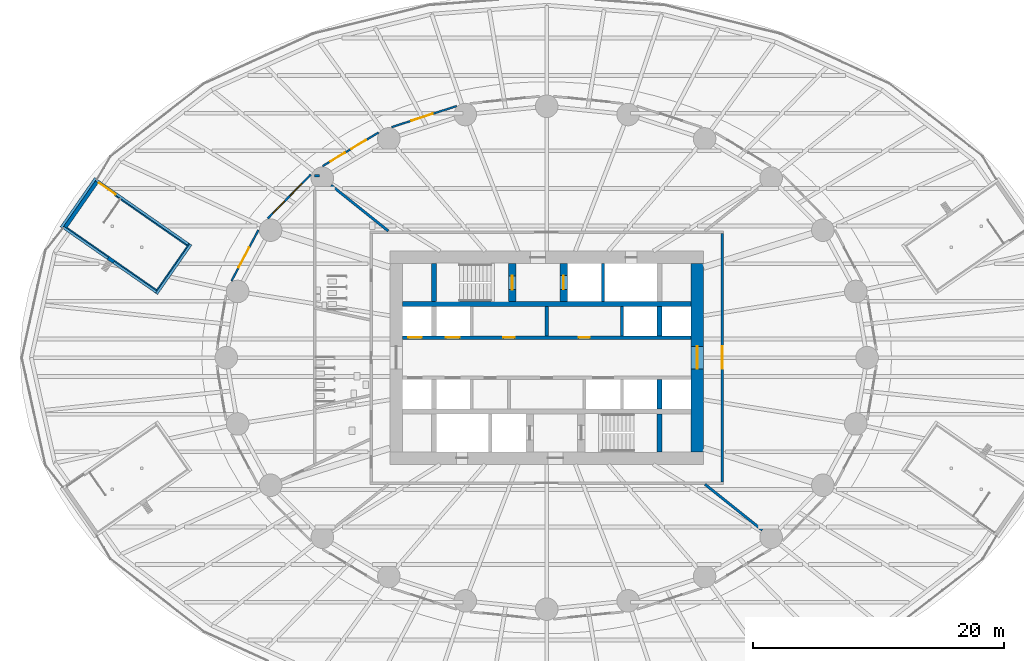
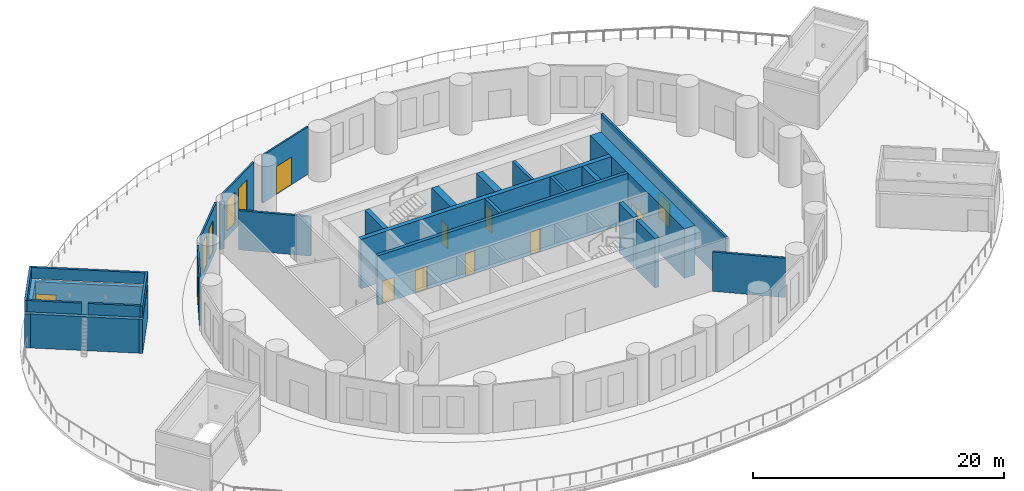
# One storey, part 9 of 17: 29 walls, 11 doors, 4 windows, 15 openings.
"""IFC4 building model written with IfcOpenShell, lengths in metres."""

from ifc_helpers import new_model, si_unit, direction, frame, frame_2d, origin, place, context, subcontext, project, spatial, rectangle, extrude, material, layer, layer_set, type_object, element, fill, save


model = new_model("IFC4")

# Units and contexts
model_context = context("Model", 3, precision=1e-05, world=origin(), true_north=direction((0.0, 1.0)))
body_context = subcontext(model_context, "Body", "Model", "MODEL_VIEW")
ifc_project = project(units=[si_unit("LENGTHUNIT", "METRE"), si_unit("AREAUNIT", "SQUARE_METRE"), si_unit("VOLUMEUNIT", "CUBIC_METRE"), si_unit("PLANEANGLEUNIT", "RADIAN"), si_unit("MASSUNIT", "GRAM", prefix="KILO")], contexts=[model_context])

# Site, building, storey
site_placement = place(None, origin())
site = spatial("IfcSite", under=ifc_project, at=site_placement, CompositionType="ELEMENT")
building_placement = place(site_placement, origin())
building = spatial("IfcBuilding", under=site, at=building_placement, Name="Hankou Lantern Tower", CompositionType="ELEMENT")
storey_placement = place(building_placement, frame((0.0, 0.0, 24.60009765625)))
storey = spatial("IfcBuildingStorey", under=building, at=storey_placement, Name="L04", CompositionType="ELEMENT", Elevation=24.60009765625)

# Wall, opening, door
ifc_material_1 = material(Name="Concrete C60", Category="concrete")
ifc_layer_1 = layer(ifc_material_1, 1.0)
ifc_layer_set_1 = layer_set([ifc_layer_1], Name="Concrete C60")
wall_type_1 = type_object("IfcWallType", Name="CW1 CORE WALL 1000", PredefinedType="SHEAR", material=ifc_layer_set_1)
wall_1_placement = place(storey_placement, frame((12.0, -7.5, 0.0), z_axis=(0.0, 0.0, 1.0), x_axis=(0.0, 1.0, 0.0)))
wall_1 = element("IfcWall", 1, at=wall_1_placement, inside=storey, type_object=wall_type_1, Name="Core wall east L04", PredefinedType="SHEAR", context=body_context, shape_type="SweptSolid", body=[
    extrude(rectangle(XDim=15.0, YDim=1.0, at=frame_2d((7.5, 0.0))), origin(), (0.0, 0.0, 1.0), 4.7998046875),
])
opening_1_placement = place(wall_1_placement, frame((6.60009765625, 0.0, 0.0)))
opening_1 = element("IfcOpeningElement", 2, at=opening_1_placement, cuts=wall_1, Name="Opening D6", PredefinedType="OPENING", context=body_context, shape_type="SweptSolid", body=[
    extrude(rectangle(XDim=1.800048828125, YDim=2.199951171875, at=frame_2d((0.89990234375, 1.10009765625))), frame((0.0, 0.510009765625, 0.0), z_axis=(0.0, -1.0, 0.0), x_axis=(1.0, 0.0, 0.0)), (0.0, 0.0, 1.0), 1.02001953125),
])
ifc_material_2 = material(Name="Steel door leaf", Category="steel")
door_type_1 = type_object("IfcDoorType", Name="D6 LIFT LOBBY DOOR 1800X2200", OperationType="DOUBLE_DOOR_DOUBLE_SWING", PredefinedType="DOOR", material=ifc_material_2)
door_1_placement = place(opening_1_placement, origin())
door_1 = element("IfcDoor", 3, at=door_1_placement, inside=storey, type_object=door_type_1, Name="Lift lobby east door", OperationType="DOUBLE_DOOR_DOUBLE_SWING", OverallHeight=2.199951171875, OverallWidth=1.800048828125, PredefinedType="DOOR", context=body_context, shape_type="SweptSolid", body=[
    extrude(rectangle(XDim=1.800048828125, YDim=2.199951171875, at=frame_2d((0.89990234375, 1.10009765625))), frame((0.0, 0.02490234375, 0.0), z_axis=(0.0, -1.0, 0.0), x_axis=(1.0, 0.0, 0.0)), (0.0, 0.0, 1.0), 0.050048828125),
])
fill(opening_1, door_1)

# Walls
ifc_material_3 = material(Name="Concrete C60", Category="concrete")
ifc_layer_2 = layer(ifc_material_3, 0.39990234375)
ifc_layer_set_2 = layer_set([ifc_layer_2], Name="Concrete C60")
wall_type_2 = type_object("IfcWallType", Name="CW4 CORE CROSS WALL 400", PredefinedType="SHEAR", material=ifc_layer_set_2)
wall_2_placement = place(storey_placement, frame((-11.5, 4.300048828125, 0.0), z_axis=(0.0, 0.0, 1.0), x_axis=(1.0, 0.0, 0.0)))
element("IfcWall", 4, at=wall_2_placement, inside=storey, type_object=wall_type_2, Name="Core band wall north L04", PredefinedType="SHEAR", context=body_context, shape_type="SweptSolid", body=[
    extrude(rectangle(XDim=23.0, YDim=0.39990234375, at=frame_2d((11.5, 0.0))), origin(), (0.0, 0.0, 1.0), 4.7998046875),
])
wall_3_placement = place(storey_placement, frame((-9.0, 4.5, 0.0), z_axis=(0.0, 0.0, 1.0), x_axis=(0.0, 1.0, 0.0)))
element("IfcWall", 5, at=wall_3_placement, inside=storey, type_object=wall_type_2, Name="Core strip wall L04", PredefinedType="SHEAR", context=body_context, shape_type="SweptSolid", body=[
    extrude(rectangle(XDim=3.0, YDim=0.39990234375, at=frame_2d((1.5, 0.0))), origin(), (0.0, 0.0, 1.0), 4.7998046875),
])
for number, where, z_axis, x_axis, name in (
    (6, (9.0, 1.75, 0.0), (0.0, 0.0, 1.0), (0.0, 1.0, 0.0), "Core strip wall L04"),
    (7, (9.0, -4.10009765625, 0.0), (0.0, 0.0, 1.0), (0.0, 1.0, 0.0), "Core strip wall L04"),
):
    element("IfcWall", number, at=place(storey_placement, frame(where, z_axis=z_axis, x_axis=x_axis)), inside=storey, type_object=wall_type_2, Name=name, PredefinedType="SHEAR", context=body_context, shape_type="SweptSolid", body=[
        extrude(rectangle(XDim=2.35009765625, YDim=0.39990234375, at=frame_2d((1.175048828125, 0.0))), origin(), (0.0, 0.0, 1.0), 4.7998046875),
    ])
wall_4_placement = place(storey_placement, frame((9.0, -7.5, 0.0), z_axis=(0.0, 0.0, 1.0), x_axis=(0.0, 1.0, 0.0)))
element("IfcWall", 8, at=wall_4_placement, inside=storey, type_object=wall_type_2, Name="Core strip wall L04", PredefinedType="SHEAR", context=body_context, shape_type="SweptSolid", body=[
    extrude(rectangle(XDim=3.0, YDim=0.39990234375, at=frame_2d((1.5, 0.0))), origin(), (0.0, 0.0, 1.0), 4.7998046875),
])

# Wall, openings, doors
ifc_material_4 = material(Name="Concrete C60", Category="concrete")
ifc_layer_3 = layer(ifc_material_4, 0.300048828125)
ifc_layer_set_3 = layer_set([ifc_layer_3], Name="Concrete C60")
wall_type_3 = type_object("IfcWallType", Name="CW5 LIFT LOBBY WALL 300", PredefinedType="SHEAR", material=ifc_layer_set_3)
wall_5_placement = place(storey_placement, frame((-11.5, 1.60009765625, 0.0), z_axis=(0.0, 0.0, 1.0), x_axis=(1.0, 0.0, 0.0)))
wall_5 = element("IfcWall", 9, at=wall_5_placement, inside=storey, type_object=wall_type_3, Name="Lift lobby wall north L04", PredefinedType="SHEAR", context=body_context, shape_type="SweptSolid", body=[
    extrude(rectangle(XDim=23.0, YDim=0.300048828125, at=frame_2d((11.5, 0.0))), origin(), (0.0, 0.0, 1.0), 4.7998046875),
])
opening_2_placement = place(wall_5_placement, frame((0.449951171875, 0.0, 0.0)))
opening_2 = element("IfcOpeningElement", 10, at=opening_2_placement, cuts=wall_5, Name="Opening LD1", PredefinedType="OPENING", context=body_context, shape_type="SweptSolid", body=[
    extrude(rectangle(XDim=1.10009765625, YDim=2.199951171875, at=frame_2d((0.550048828125, 1.10009765625))), frame((0.0, 0.159912109375, 0.0), z_axis=(0.0, -1.0, 0.0), x_axis=(1.0, 0.0, 0.0)), (0.0, 0.0, 1.0), 0.320068359375),
])
opening_3_placement = place(wall_5_placement, frame((3.449951171875, 0.0, 0.0)))
opening_3 = element("IfcOpeningElement", 11, at=opening_3_placement, cuts=wall_5, Name="Opening LD1", PredefinedType="OPENING", context=body_context, shape_type="SweptSolid", body=[
    extrude(rectangle(XDim=1.10009765625, YDim=2.199951171875, at=frame_2d((0.550048828125, 1.10009765625))), frame((0.0, 0.159912109375, 0.0), z_axis=(0.0, -1.0, 0.0), x_axis=(1.0, 0.0, 0.0)), (0.0, 0.0, 1.0), 0.320068359375),
])
opening_4_placement = place(wall_5_placement, frame((8.050048828125, 0.0, 0.0)))
opening_4 = element("IfcOpeningElement", 12, at=opening_4_placement, cuts=wall_5, Name="Opening D30", PredefinedType="OPENING", context=body_context, shape_type="SweptSolid", body=[
    extrude(rectangle(XDim=0.89990234375, YDim=2.199951171875, at=frame_2d((0.449951171875, 1.10009765625))), frame((0.0, 0.159912109375, 0.0), z_axis=(0.0, -1.0, 0.0), x_axis=(1.0, 0.0, 0.0)), (0.0, 0.0, 1.0), 0.320068359375),
])
opening_5_placement = place(wall_5_placement, frame((14.050048828125, 0.0, 0.0)))
opening_5 = element("IfcOpeningElement", 13, at=opening_5_placement, cuts=wall_5, Name="Opening D30", PredefinedType="OPENING", context=body_context, shape_type="SweptSolid", body=[
    extrude(rectangle(XDim=0.89990234375, YDim=2.199951171875, at=frame_2d((0.449951171875, 1.10009765625))), frame((0.0, 0.159912109375, 0.0), z_axis=(0.0, -1.0, 0.0), x_axis=(1.0, 0.0, 0.0)), (0.0, 0.0, 1.0), 0.320068359375),
])
ifc_material_5 = material(Name="Steel door leaf", Category="steel")
door_type_2 = type_object("IfcDoorType", Name="D30 CORE ROOM DOOR 900X2200", OperationType="SINGLE_SWING_LEFT", PredefinedType="DOOR", material=ifc_material_5)
door_2_placement = place(opening_4_placement, origin())
door_2 = element("IfcDoor", 14, at=door_2_placement, inside=storey, type_object=door_type_2, Name="AV and furniture store door", OperationType="SINGLE_SWING_LEFT", OverallHeight=2.199951171875, OverallWidth=0.89990234375, PredefinedType="DOOR", context=body_context, shape_type="SweptSolid", body=[
    extrude(rectangle(XDim=0.89990234375, YDim=2.199951171875, at=frame_2d((0.449951171875, 1.10009765625))), frame((0.0, 0.02490234375, 0.0), z_axis=(0.0, -1.0, 0.0), x_axis=(1.0, 0.0, 0.0)), (0.0, 0.0, 1.0), 0.050048828125),
])
fill(opening_4, door_2)
door_3_placement = place(opening_5_placement, origin())
door_3 = element("IfcDoor", 15, at=door_3_placement, inside=storey, type_object=door_type_2, Name="Spa linen store door", OperationType="SINGLE_SWING_RIGHT", OverallHeight=2.199951171875, OverallWidth=0.89990234375, PredefinedType="DOOR", context=body_context, shape_type="SweptSolid", body=[
    extrude(rectangle(XDim=0.89990234375, YDim=2.199951171875, at=frame_2d((0.449951171875, 1.10009765625))), frame((0.0, 0.02490234375, 0.0), z_axis=(0.0, -1.0, 0.0), x_axis=(1.0, 0.0, 0.0)), (0.0, 0.0, 1.0), 0.050048828125),
])
fill(opening_5, door_3)
ifc_material_6 = material(Name="Steel door leaf", Category="steel")
door_type_3 = type_object("IfcDoorType", Name="LD1 LIFT LANDING DOOR 1100X2200", OperationType="DOUBLE_DOOR_SLIDING", PredefinedType="DOOR", material=ifc_material_6)
door_4_placement = place(opening_2_placement, origin())
door_4 = element("IfcDoor", 16, at=door_4_placement, inside=storey, type_object=door_type_3, Name="Lift L1 landing door", OperationType="DOUBLE_DOOR_SLIDING", OverallHeight=2.199951171875, OverallWidth=1.10009765625, PredefinedType="DOOR", context=body_context, shape_type="SweptSolid", body=[
    extrude(rectangle(XDim=1.10009765625, YDim=2.199951171875, at=frame_2d((0.550048828125, 1.10009765625))), frame((0.0, 0.02490234375, 0.0), z_axis=(0.0, -1.0, 0.0), x_axis=(1.0, 0.0, 0.0)), (0.0, 0.0, 1.0), 0.050048828125),
])
fill(opening_2, door_4)
door_5_placement = place(opening_3_placement, origin())
door_5 = element("IfcDoor", 17, at=door_5_placement, inside=storey, type_object=door_type_3, Name="Lift L2 landing door", OperationType="DOUBLE_DOOR_SLIDING", OverallHeight=2.199951171875, OverallWidth=1.10009765625, PredefinedType="DOOR", context=body_context, shape_type="SweptSolid", body=[
    extrude(rectangle(XDim=1.10009765625, YDim=2.199951171875, at=frame_2d((0.550048828125, 1.10009765625))), frame((0.0, 0.02490234375, 0.0), z_axis=(0.0, -1.0, 0.0), x_axis=(1.0, 0.0, 0.0)), (0.0, 0.0, 1.0), 0.050048828125),
])
fill(opening_3, door_5)

# Wall, opening, door
ifc_material_7 = material(Name="Concrete C60", Category="concrete")
ifc_layer_4 = layer(ifc_material_7, 0.60009765625)
ifc_layer_set_4 = layer_set([ifc_layer_4], Name="Concrete C60")
wall_type_4 = type_object("IfcWallType", Name="CW6 STAIR AND SHAFT WALL 600", PredefinedType="SHEAR", material=ifc_layer_set_4)
wall_6_placement = place(storey_placement, frame((-2.75, 4.5, 0.0), z_axis=(0.0, 0.0, 1.0), x_axis=(0.0, 1.0, 0.0)))
wall_6 = element("IfcWall", 18, at=wall_6_placement, inside=storey, type_object=wall_type_4, Name="Stair wall L04", PredefinedType="SHEAR", context=body_context, shape_type="SweptSolid", body=[
    extrude(rectangle(XDim=3.0, YDim=0.60009765625, at=frame_2d((1.5, 0.0))), origin(), (0.0, 0.0, 1.0), 4.7998046875),
])
opening_6_placement = place(wall_6_placement, frame((0.925048828125, 0.0, 0.0)))
opening_6 = element("IfcOpeningElement", 19, at=opening_6_placement, cuts=wall_6, Name="Opening D4", PredefinedType="OPENING", context=body_context, shape_type="SweptSolid", body=[
    extrude(rectangle(XDim=1.10009765625, YDim=2.199951171875, at=frame_2d((0.550048828125, 1.10009765625))), frame((0.0, 0.31005859375, 0.0), z_axis=(0.0, -1.0, 0.0), x_axis=(1.0, 0.0, 0.0)), (0.0, 0.0, 1.0), 0.6201171875),
])
ifc_material_8 = material(Name="Steel door leaf", Category="steel")
door_type_4 = type_object("IfcDoorType", Name="D4 STAIR DOOR 1100X2200", OperationType="SINGLE_SWING_LEFT", PredefinedType="DOOR", material=ifc_material_8)
door_6_placement = place(opening_6_placement, origin())
door_6 = element("IfcDoor", 20, at=door_6_placement, inside=storey, type_object=door_type_4, Name="Stair A door", OperationType="SINGLE_SWING_LEFT", OverallHeight=2.199951171875, OverallWidth=1.10009765625, PredefinedType="DOOR", context=body_context, shape_type="SweptSolid", body=[
    extrude(rectangle(XDim=1.10009765625, YDim=2.199951171875, at=frame_2d((0.550048828125, 1.10009765625))), frame((0.0, 0.02490234375, 0.0), z_axis=(0.0, -1.0, 0.0), x_axis=(1.0, 0.0, 0.0)), (0.0, 0.0, 1.0), 0.050048828125),
])
fill(opening_6, door_6)

wall_7_placement = place(storey_placement, frame((1.35009765625, 4.5, 0.0), z_axis=(0.0, 0.0, 1.0), x_axis=(0.0, 1.0, 0.0)))
wall_7 = element("IfcWall", 21, at=wall_7_placement, inside=storey, type_object=wall_type_4, Name="Firefighting lift shaft wall L04", PredefinedType="SHEAR", context=body_context, shape_type="SweptSolid", body=[
    extrude(rectangle(XDim=3.0, YDim=0.60009765625, at=frame_2d((1.5, 0.0))), origin(), (0.0, 0.0, 1.0), 4.7998046875),
])
opening_7_placement = place(wall_7_placement, frame((0.949951171875, 0.0, 0.0)))
opening_7 = element("IfcOpeningElement", 22, at=opening_7_placement, cuts=wall_7, Name="Opening LD2", PredefinedType="OPENING", context=body_context, shape_type="SweptSolid", body=[
    extrude(rectangle(XDim=1.10009765625, YDim=2.199951171875, at=frame_2d((0.550048828125, 1.10009765625))), frame((0.0, 0.31005859375, 0.0), z_axis=(0.0, -1.0, 0.0), x_axis=(1.0, 0.0, 0.0)), (0.0, 0.0, 1.0), 0.6201171875),
])
ifc_material_9 = material(Name="Steel door leaf", Category="steel")
door_type_5 = type_object("IfcDoorType", Name="LD2 FIREFIGHTING LIFT LANDING DOOR 1100X2200", OperationType="DOUBLE_DOOR_SLIDING", PredefinedType="DOOR", material=ifc_material_9)
door_7_placement = place(opening_7_placement, origin())
door_7 = element("IfcDoor", 23, at=door_7_placement, inside=storey, type_object=door_type_5, Name="Firefighting lift FL1 landing door", OperationType="DOUBLE_DOOR_SLIDING", OverallHeight=2.199951171875, OverallWidth=1.10009765625, PredefinedType="DOOR", context=body_context, shape_type="SweptSolid", body=[
    extrude(rectangle(XDim=1.10009765625, YDim=2.199951171875, at=frame_2d((0.550048828125, 1.10009765625))), frame((0.0, 0.02490234375, 0.0), z_axis=(0.0, -1.0, 0.0), x_axis=(1.0, 0.0, 0.0)), (0.0, 0.0, 1.0), 0.050048828125),
])
fill(opening_7, door_7)

ifc_material_10 = material(Name="Concrete C50", Category="concrete")
ifc_layer_5 = layer(ifc_material_10, 0.300048828125)
ifc_layer_set_5 = layer_set([ifc_layer_5], Name="Concrete C50")
wall_type_5 = type_object("IfcWallType", Name="CW7 PODIUM STAIR WALL 300", PredefinedType="SHEAR", material=ifc_layer_set_5)
wall_8_placement = place(storey_placement, frame((-35.7294921875, 13.968017578125, 0.0), z_axis=(0.0, 0.0, 1.0), x_axis=(0.82092761123, -0.571032273274, 0.0)))
wall_8 = element("IfcWall", 24, at=wall_8_placement, inside=storey, type_object=wall_type_5, Name="Podium stair P2 wall", PredefinedType="SHEAR", context=body_context, shape_type="SweptSolid", body=[
    extrude(rectangle(XDim=8.659912109375, YDim=0.300048828125, at=frame_2d((4.330078125, 0.0))), origin(), (0.0, 0.0, 1.0), 3.2998046875),
])
opening_8_placement = place(wall_8_placement, frame((0.050048828125, 0.0, 0.0)))
opening_8 = element("IfcOpeningElement", 25, at=opening_8_placement, cuts=wall_8, Name="Opening D16", PredefinedType="OPENING", context=body_context, shape_type="SweptSolid", body=[
    extrude(rectangle(XDim=1.60009765625, YDim=2.10009765625, at=frame_2d((0.800048828125, 1.050048828125))), frame((0.0, 0.159912109375, 0.0), z_axis=(0.0, -1.0, 0.0), x_axis=(1.0, 0.0, 0.0)), (0.0, 0.0, 1.0), 0.320068359375),
])
ifc_material_11 = material(Name="Steel door leaf", Category="steel")
door_type_6 = type_object("IfcDoorType", Name="D16 PODIUM STAIR DOOR 1600X2100", OperationType="SINGLE_SWING_LEFT", PredefinedType="DOOR", material=ifc_material_11)
door_8_placement = place(opening_8_placement, origin())
door_8 = element("IfcDoor", 26, at=door_8_placement, inside=storey, type_object=door_type_6, Name="Podium stair P2 door", OperationType="SINGLE_SWING_LEFT", OverallHeight=2.10009765625, OverallWidth=1.60009765625, PredefinedType="DOOR", context=body_context, shape_type="SweptSolid", body=[
    extrude(rectangle(XDim=1.60009765625, YDim=2.10009765625, at=frame_2d((0.800048828125, 1.050048828125))), frame((0.0, 0.02490234375, 0.0), z_axis=(0.0, -1.0, 0.0), x_axis=(1.0, 0.0, 0.0)), (0.0, 0.0, 1.0), 0.050048828125),
])
fill(opening_8, door_8)

# Walls
wall_9_placement = place(storey_placement, frame((-38.29931640625, 10.273681640625, 0.0), z_axis=(0.0, 0.0, 1.0), x_axis=(0.820936803751, -0.571019057692, 0.0)))
element("IfcWall", 27, at=wall_9_placement, inside=storey, type_object=wall_type_5, Name="Podium stair P2 wall", PredefinedType="SHEAR", context=body_context, shape_type="SweptSolid", body=[
    extrude(rectangle(XDim=8.66015625, YDim=0.300048828125, at=frame_2d((4.330078125, 0.0))), origin(), (0.0, 0.0, 1.0), 3.2998046875),
])
wall_10_placement = place(storey_placement, frame((-28.41162109375, 9.060302734375, 0.0), z_axis=(0.0, 0.0, 1.0), x_axis=(-0.571036173178, -0.820924898467, 0.0)))
element("IfcWall", 28, at=wall_10_placement, inside=storey, type_object=wall_type_5, Name="Podium stair P2 wall", PredefinedType="SHEAR", context=body_context, shape_type="SweptSolid", body=[
    extrude(rectangle(XDim=4.800048828125, YDim=0.300048828125, at=frame_2d((2.39990234375, 0.0))), origin(), (0.0, 0.0, 1.0), 3.2998046875),
])

# Wall, opening, door
ifc_material_12 = material(Name="Aluminium spandrel panel on steel studs", Category="steel")
ifc_layer_6 = layer(ifc_material_12, 0.14990234375)
ifc_layer_set_6 = layer_set([ifc_layer_6], Name="Aluminium spandrel panel on steel studs")
wall_type_6 = type_object("IfcWallType", Name="EW1 INNER SKIN WALL 150", PredefinedType="ELEMENTEDWALL", material=ifc_layer_set_6)
wall_11_placement = place(storey_placement, frame((-7.188232421875, 20.06494140625, 0.0), z_axis=(0.0, 0.0, 1.0), x_axis=(-0.951138486029, -0.308764603532, 0.0)))
wall_11 = element("IfcWall", 29, at=wall_11_placement, inside=storey, type_object=wall_type_6, Name="Inner skin R08-R09 L04", PredefinedType="ELEMENTEDWALL", context=body_context, shape_type="SweptSolid", body=[
    extrude(rectangle(XDim=5.444091796875, YDim=0.14990234375, at=frame_2d((2.72216796875, 0.0))), origin(), (0.0, 0.0, 1.0), 4.619873046875),
])
opening_9_placement = place(wall_11_placement, frame((1.984130859375, 0.0, 0.0)))
opening_9 = element("IfcOpeningElement", 30, at=opening_9_placement, cuts=wall_11, Name="Opening D17", PredefinedType="OPENING", context=body_context, shape_type="SweptSolid", body=[
    extrude(rectangle(XDim=1.800048828125, YDim=2.699951171875, at=frame_2d((0.89990234375, 1.35009765625))), frame((0.0, 0.0849609375, 0.0), z_axis=(0.0, -1.0, 0.0), x_axis=(1.0, 0.0, 0.0)), (0.0, 0.0, 1.0), 0.169921875),
])
ifc_material_13 = material(Name="Aluminium framed glazed door", Category="aluminium")
door_type_7 = type_object("IfcDoorType", Name="D17 TERRACE DOOR 1800X2700", OperationType="DOUBLE_DOOR_DOUBLE_SWING", PredefinedType="DOOR", material=ifc_material_13)
door_9_placement = place(opening_9_placement, origin())
door_9 = element("IfcDoor", 31, at=door_9_placement, inside=storey, type_object=door_type_7, Name="Terrace door R08", OperationType="DOUBLE_DOOR_DOUBLE_SWING", OverallHeight=2.699951171875, OverallWidth=1.800048828125, PredefinedType="DOOR", context=body_context, shape_type="SweptSolid", body=[
    extrude(rectangle(XDim=1.800048828125, YDim=2.699951171875, at=frame_2d((0.89990234375, 1.35009765625))), frame((0.0, 0.02490234375, 0.0), z_axis=(0.0, -1.0, 0.0), x_axis=(1.0, 0.0, 0.0)), (0.0, 0.0, 1.0), 0.050048828125),
])
fill(opening_9, door_9)

# Wall, openings, windows
wall_12_placement = place(storey_placement, frame((-13.412109375, 17.957275390625, 0.0), z_axis=(0.0, 0.0, 1.0), x_axis=(-0.856958191554, -0.515385931054, 0.0)))
wall_12 = element("IfcWall", 32, at=wall_12_placement, inside=storey, type_object=wall_type_6, Name="Inner skin R09-R10 L04", PredefinedType="ELEMENTEDWALL", context=body_context, shape_type="SweptSolid", body=[
    extrude(rectangle(XDim=5.201171875, YDim=0.14990234375, at=frame_2d((2.6005859375, 0.0))), origin(), (0.0, 0.0, 1.0), 4.619873046875),
])
opening_10_placement = place(wall_12_placement, frame((1.175048828125, 0.0, 0.60009765625)))
opening_10 = element("IfcOpeningElement", 33, at=opening_10_placement, cuts=wall_12, Name="Opening W5", PredefinedType="OPENING", context=body_context, shape_type="SweptSolid", body=[
    extrude(rectangle(XDim=1.35009765625, YDim=3.0, at=frame_2d((0.675048828125, 1.5))), frame((0.0, 0.0849609375, 0.0), z_axis=(0.0, -1.0, 0.0), x_axis=(1.0, 0.0, 0.0)), (0.0, 0.0, 1.0), 0.169921875),
])
opening_11_placement = place(wall_12_placement, frame((3.125, 0.0, 0.60009765625)))
opening_11 = element("IfcOpeningElement", 34, at=opening_11_placement, cuts=wall_12, Name="Opening W5", PredefinedType="OPENING", context=body_context, shape_type="SweptSolid", body=[
    extrude(rectangle(XDim=1.35009765625, YDim=3.0, at=frame_2d((0.675048828125, 1.5))), frame((0.0, 0.0849609375, 0.0), z_axis=(0.0, -1.0, 0.0), x_axis=(1.0, 0.0, 0.0)), (0.0, 0.0, 1.0), 0.169921875),
])
ifc_material_14 = material(Name="Aluminium framed double glazed window", Category="aluminium")
window_type = type_object("IfcWindowType", Name="W5 AMENITY WINDOW 1350X3000", PartitioningType="DOUBLE_PANEL_VERTICAL", PredefinedType="WINDOW", material=ifc_material_14)
window_1_placement = place(opening_10_placement, origin())
window_1 = element("IfcWindow", 35, at=window_1_placement, inside=storey, type_object=window_type, Name="Window R09.1 L04", OverallHeight=3.0, OverallWidth=1.35009765625, PartitioningType="SINGLE_PANEL", PredefinedType="WINDOW", context=body_context, shape_type="SweptSolid", body=[
    extrude(rectangle(XDim=1.35009765625, YDim=3.0, at=frame_2d((0.675048828125, 1.5))), frame((0.0, 0.030029296875, 0.0), z_axis=(0.0, -1.0, 0.0), x_axis=(1.0, 0.0, 0.0)), (0.0, 0.0, 1.0), 0.06005859375),
])
fill(opening_10, window_1)
window_2_placement = place(opening_11_placement, origin())
window_2 = element("IfcWindow", 36, at=window_2_placement, inside=storey, type_object=window_type, Name="Window R09.2 L04", OverallHeight=3.0, OverallWidth=1.35009765625, PartitioningType="SINGLE_PANEL", PredefinedType="WINDOW", context=body_context, shape_type="SweptSolid", body=[
    extrude(rectangle(XDim=1.35009765625, YDim=3.0, at=frame_2d((0.675048828125, 1.5))), frame((0.0, 0.030029296875, 0.0), z_axis=(0.0, -1.0, 0.0), x_axis=(1.0, 0.0, 0.0)), (0.0, 0.0, 1.0), 0.06005859375),
])
fill(opening_11, window_2)

wall_13_placement = place(storey_placement, frame((-18.8134765625, 14.606689453125, 0.0), z_axis=(0.0, 0.0, 1.0), x_axis=(-0.699612594083, -0.714522370679, 0.0)))
wall_13 = element("IfcWall", 37, at=wall_13_placement, inside=storey, type_object=wall_type_6, Name="Inner skin R10-R11 L04", PredefinedType="ELEMENTEDWALL", context=body_context, shape_type="SweptSolid", body=[
    extrude(rectangle(XDim=4.89599609375, YDim=0.14990234375, at=frame_2d((2.447998046875, 0.0))), origin(), (0.0, 0.0, 1.0), 4.619873046875),
])
opening_12_placement = place(wall_13_placement, frame((1.02685546875, 0.0, 0.60009765625)))
opening_12 = element("IfcOpeningElement", 38, at=opening_12_placement, cuts=wall_13, Name="Opening W5", PredefinedType="OPENING", context=body_context, shape_type="SweptSolid", body=[
    extrude(rectangle(XDim=1.35009765625, YDim=3.0, at=frame_2d((0.675048828125, 1.5))), frame((0.0, 0.0849609375, 0.0), z_axis=(0.0, -1.0, 0.0), x_axis=(1.0, 0.0, 0.0)), (0.0, 0.0, 1.0), 0.169921875),
])
opening_13_placement = place(wall_13_placement, frame((2.976806640625, 0.0, 0.60009765625)))
opening_13 = element("IfcOpeningElement", 39, at=opening_13_placement, cuts=wall_13, Name="Opening W5", PredefinedType="OPENING", context=body_context, shape_type="SweptSolid", body=[
    extrude(rectangle(XDim=1.35009765625, YDim=3.0, at=frame_2d((0.675048828125, 1.5))), frame((0.0, 0.0849609375, 0.0), z_axis=(0.0, -1.0, 0.0), x_axis=(1.0, 0.0, 0.0)), (0.0, 0.0, 1.0), 0.169921875),
])
window_3_placement = place(opening_12_placement, origin())
window_3 = element("IfcWindow", 40, at=window_3_placement, inside=storey, type_object=window_type, Name="Window R10.1 L04", OverallHeight=3.0, OverallWidth=1.35009765625, PartitioningType="SINGLE_PANEL", PredefinedType="WINDOW", context=body_context, shape_type="SweptSolid", body=[
    extrude(rectangle(XDim=1.35009765625, YDim=3.0, at=frame_2d((0.675048828125, 1.5))), frame((0.0, 0.030029296875, 0.0), z_axis=(0.0, -1.0, 0.0), x_axis=(1.0, 0.0, 0.0)), (0.0, 0.0, 1.0), 0.06005859375),
])
fill(opening_12, window_3)
window_4_placement = place(opening_13_placement, origin())
window_4 = element("IfcWindow", 41, at=window_4_placement, inside=storey, type_object=window_type, Name="Window R10.2 L04", OverallHeight=3.0, OverallWidth=1.35009765625, PartitioningType="SINGLE_PANEL", PredefinedType="WINDOW", context=body_context, shape_type="SweptSolid", body=[
    extrude(rectangle(XDim=1.35009765625, YDim=3.0, at=frame_2d((0.675048828125, 1.5))), frame((0.0, 0.030029296875, 0.0), z_axis=(0.0, -1.0, 0.0), x_axis=(1.0, 0.0, 0.0)), (0.0, 0.0, 1.0), 0.06005859375),
])
fill(opening_13, window_4)

# Wall, opening, door
wall_14_placement = place(storey_placement, frame((-22.986083984375, 10.185302734375, 0.0), z_axis=(0.0, 0.0, 1.0), x_axis=(-0.467303182954, -0.884097129959, 0.0)))
wall_14 = element("IfcWall", 42, at=wall_14_placement, inside=storey, type_object=wall_type_6, Name="Inner skin R11-R12 L04", PredefinedType="ELEMENTEDWALL", context=body_context, shape_type="SweptSolid", body=[
    extrude(rectangle(XDim=4.6064453125, YDim=0.14990234375, at=frame_2d((2.30322265625, 0.0))), origin(), (0.0, 0.0, 1.0), 4.619873046875),
])
opening_14_placement = place(wall_14_placement, frame((1.574951171875, 0.0, 0.0)))
opening_14 = element("IfcOpeningElement", 43, at=opening_14_placement, cuts=wall_14, Name="Opening D17", PredefinedType="OPENING", context=body_context, shape_type="SweptSolid", body=[
    extrude(rectangle(XDim=1.800048828125, YDim=2.699951171875, at=frame_2d((0.89990234375, 1.35009765625))), frame((0.0, 0.0849609375, 0.0), z_axis=(0.0, -1.0, 0.0), x_axis=(1.0, 0.0, 0.0)), (0.0, 0.0, 1.0), 0.169921875),
])
door_10_placement = place(opening_14_placement, origin())
door_10 = element("IfcDoor", 44, at=door_10_placement, inside=storey, type_object=door_type_7, Name="Terrace door R11", OperationType="DOUBLE_DOOR_DOUBLE_SWING", OverallHeight=2.699951171875, OverallWidth=1.800048828125, PredefinedType="DOOR", context=body_context, shape_type="SweptSolid", body=[
    extrude(rectangle(XDim=1.800048828125, YDim=2.699951171875, at=frame_2d((0.89990234375, 1.35009765625))), frame((0.0, 0.02490234375, 0.0), z_axis=(0.0, -1.0, 0.0), x_axis=(1.0, 0.0, 0.0)), (0.0, 0.0, 1.0), 0.050048828125),
])
fill(opening_14, door_10)

# Walls
ifc_material_15 = material(Name="Granite cladding on reinforced concrete C50", Category="masonry")
ifc_layer_7 = layer(ifc_material_15, 0.5)
ifc_layer_set_7 = layer_set([ifc_layer_7], Name="Granite cladding on reinforced concrete C50")
wall_type_7 = type_object("IfcWallType", Name="EW2 STONE PORTAL WALL 500", PredefinedType="SOLIDWALL", material=ifc_layer_set_7)
wall_15_placement = place(storey_placement, frame((-35.84912109375, 14.23388671875, 0.0), z_axis=(0.0, 0.0, 1.0), x_axis=(-0.571036173178, -0.820924898467, 0.0)))
element("IfcWall", 45, at=wall_15_placement, inside=storey, type_object=wall_type_7, Name="Podium stair P2 head-house", PredefinedType="SOLIDWALL", context=body_context, shape_type="SweptSolid", body=[
    extrude(rectangle(XDim=4.800048828125, YDim=0.5, at=frame_2d((2.39990234375, 0.0))), origin(), (0.0, 0.0, 1.0), 3.2998046875),
])
ifc_material_16 = material(Name="Precast concrete C40 spandrel", Category="concrete")
ifc_layer_8 = layer(ifc_material_16, 0.199951171875)
ifc_layer_set_8 = layer_set([ifc_layer_8], Name="Precast concrete C40 spandrel")
wall_type_8 = type_object("IfcWallType", Name="EW3 SPANDREL WALL 200", PredefinedType="PARAPET", material=ifc_layer_set_8)
wall_16_placement = place(storey_placement, frame((-35.97216796875, 14.319580078125, 3.5), z_axis=(0.0, 0.0, 1.0), x_axis=(-0.571036173178, -0.820924898467, 0.0)))
element("IfcWall", 46, at=wall_16_placement, inside=storey, type_object=wall_type_8, Name="Podium stair P2 head-house roof parapet", PredefinedType="PARAPET", context=body_context, shape_type="SweptSolid", body=[
    extrude(rectangle(XDim=4.800048828125, YDim=0.199951171875, at=frame_2d((2.39990234375, 0.0))), origin(), (0.0, 0.0, 1.0), 1.099853515625),
])
wall_17_placement = place(storey_placement, frame((-38.573974609375, 10.404052734375, 3.5), z_axis=(0.0, 0.0, 1.0), x_axis=(0.820934908624, -0.571021782248, 0.0)))
element("IfcWall", 47, at=wall_17_placement, inside=storey, type_object=wall_type_8, Name="Podium stair P2 head-house roof parapet", PredefinedType="PARAPET", context=body_context, shape_type="SweptSolid", body=[
    extrude(rectangle(XDim=4.35498046875, YDim=0.199951171875, at=frame_2d((2.177490234375, 0.0))), origin(), (0.0, 0.0, 1.0), 1.099853515625),
])
wall_18_placement = place(storey_placement, frame((-34.54736328125, 7.603271484375, 3.5), z_axis=(0.0, 0.0, 1.0), x_axis=(0.820904004174, -0.571066209761, 0.0)))
element("IfcWall", 48, at=wall_18_placement, inside=storey, type_object=wall_type_8, Name="Podium stair P2 head-house roof parapet", PredefinedType="PARAPET", context=body_context, shape_type="SweptSolid", body=[
    extrude(rectangle(XDim=4.155029296875, YDim=0.199951171875, at=frame_2d((2.07763671875, 0.0))), origin(), (0.0, 0.0, 1.0), 1.099853515625),
])
wall_19_placement = place(storey_placement, frame((-31.111328125, 5.09130859375, 3.5), z_axis=(0.0, 0.0, 1.0), x_axis=(0.571036173178, 0.820924898467, 0.0)))
element("IfcWall", 49, at=wall_19_placement, inside=storey, type_object=wall_type_8, Name="Podium stair P2 head-house roof parapet", PredefinedType="PARAPET", context=body_context, shape_type="SweptSolid", body=[
    extrude(rectangle(XDim=4.800048828125, YDim=0.199951171875, at=frame_2d((2.39990234375, 0.0))), origin(), (0.0, 0.0, 1.0), 1.099853515625),
])
wall_20_placement = place(storey_placement, frame((-28.509765625, 9.0068359375, 3.5), z_axis=(0.0, 0.0, 1.0), x_axis=(-0.820922227988, 0.571040012254, 0.0)))
element("IfcWall", 50, at=wall_20_placement, inside=storey, type_object=wall_type_8, Name="Podium stair P2 head-house roof parapet", PredefinedType="PARAPET", context=body_context, shape_type="SweptSolid", body=[
    extrude(rectangle(XDim=9.059814453125, YDim=0.199951171875, at=frame_2d((4.52978515625, 0.0))), origin(), (0.0, 0.0, 1.0), 1.099853515625),
])

# Wall, opening, door
ifc_material_17 = material(Name="Masonry lightweight concrete block", Category="masonry")
ifc_layer_9 = layer(ifc_material_17, 0.199951171875)
ifc_layer_set_9 = layer_set([ifc_layer_9], Name="Masonry lightweight concrete block")
wall_type_9 = type_object("IfcWallType", Name="IW2 CORRIDOR WALL 200", PredefinedType="PARTITIONING", material=ifc_layer_set_9)
wall_21_placement = place(storey_placement, frame((14.0, -9.89990234375, 0.0), z_axis=(0.0, 0.0, 1.0), x_axis=(0.0, 1.0, 0.0)))
wall_21 = element("IfcWall", 51, at=wall_21_placement, inside=storey, type_object=wall_type_9, Name="Corridor wall east", PredefinedType="PARTITIONING", context=body_context, shape_type="SweptSolid", body=[
    extrude(rectangle(XDim=19.7998046875, YDim=0.199951171875, at=frame_2d((9.89990234375, 0.0))), origin(), (0.0, 0.0, 1.0), 4.619873046875),
])
opening_15_placement = place(wall_21_placement, frame((9.0, 0.0, 0.0)))
opening_15 = element("IfcOpeningElement", 52, at=opening_15_placement, cuts=wall_21, Name="Opening D8", PredefinedType="OPENING", context=body_context, shape_type="SweptSolid", body=[
    extrude(rectangle(XDim=1.800048828125, YDim=2.39990234375, at=frame_2d((0.89990234375, 1.199951171875))), frame((0.0, 0.10986328125, 0.0), z_axis=(0.0, -1.0, 0.0), x_axis=(1.0, 0.0, 0.0)), (0.0, 0.0, 1.0), 0.219970703125),
])
ifc_material_18 = material(Name="Steel door leaf", Category="steel")
door_type_8 = type_object("IfcDoorType", Name="D8 DOUBLE DOOR 1800X2400", OperationType="DOUBLE_DOOR_DOUBLE_SWING", PredefinedType="DOOR", material=ifc_material_18)
door_11_placement = place(opening_15_placement, origin())
door_11 = element("IfcDoor", 53, at=door_11_placement, inside=storey, type_object=door_type_8, Name="Business centre door", OperationType="DOUBLE_DOOR_DOUBLE_SWING", OverallHeight=2.39990234375, OverallWidth=1.800048828125, PredefinedType="DOOR", context=body_context, shape_type="SweptSolid", body=[
    extrude(rectangle(XDim=1.800048828125, YDim=2.39990234375, at=frame_2d((0.89990234375, 1.199951171875))), frame((0.0, 0.02490234375, 0.0), z_axis=(0.0, -1.0, 0.0), x_axis=(1.0, 0.0, 0.0)), (0.0, 0.0, 1.0), 0.050048828125),
])
fill(opening_15, door_11)

# Walls
ifc_material_19 = material(Name="Masonry lightweight concrete block", Category="masonry")
ifc_layer_10 = layer(ifc_material_19, 0.199951171875)
ifc_layer_set_10 = layer_set([ifc_layer_10], Name="Masonry lightweight concrete block")
wall_type_10 = type_object("IfcWallType", Name="IW8 PARTITION 200", PredefinedType="PARTITIONING", material=ifc_layer_set_10)
for number, where, z_axis, x_axis, name in (
    (54, (-12.625, 10.10009765625, 0.0), (0.0, 0.0, 1.0), (-0.780872884676, 0.624689953479, 0.0), "Partition R10"),
    (55, (12.625, -10.10009765625, 0.0), (0.0, 0.0, 1.0), (0.780872884676, -0.624689953479, 0.0), "Partition R22"),
):
    element("IfcWall", number, at=place(storey_placement, frame(where, z_axis=z_axis, x_axis=x_axis)), inside=storey, type_object=wall_type_10, Name=name, PredefinedType="PARTITIONING", context=body_context, shape_type="SweptSolid", body=[
        extrude(rectangle(XDim=5.8447265625, YDim=0.199951171875, at=frame_2d((2.92236328125, 0.0))), origin(), (0.0, 0.0, 1.0), 3.81982421875),
    ])
wall_22_placement = place(storey_placement, frame((-18.125, 14.5, 0.0), z_axis=(0.0, 0.0, 1.0), x_axis=(-1.0, 0.0, 0.0)))
element("IfcWall", 56, at=wall_22_placement, inside=storey, type_object=wall_type_10, Name="Partition behind the WCs", PredefinedType="PARTITIONING", context=body_context, shape_type="SweptSolid", body=[
    extrude(rectangle(XDim=0.375, YDim=0.199951171875, at=frame_2d((0.1875, 0.0))), origin(), (0.0, 0.0, 1.0), 4.619873046875),
])
ifc_material_20 = material(Name="Masonry autoclaved aerated concrete block", Category="masonry")
ifc_layer_11 = layer(ifc_material_20, 0.25)
ifc_layer_set_11 = layer_set([ifc_layer_11], Name="Masonry autoclaved aerated concrete block")
wall_type_11 = type_object("IfcWallType", Name="SW1 SHAFT BLOCK WALL 250", PredefinedType="PARTITIONING", material=ifc_layer_set_11)
wall_23_placement = place(storey_placement, frame((4.5, 4.5, 0.0), z_axis=(0.0, 0.0, 1.0), x_axis=(0.0, 1.0, 0.0)))
element("IfcWall", 57, at=wall_23_placement, inside=storey, type_object=wall_type_11, Name="Riser wall L04", PredefinedType="PARTITIONING", context=body_context, shape_type="SweptSolid", body=[
    extrude(rectangle(XDim=3.0, YDim=0.25, at=frame_2d((1.5, 0.0))), origin(), (0.0, 0.0, 1.0), 4.7998046875),
])
for number, where, z_axis, x_axis, name in (
    (58, (0.0, 1.75, 0.0), (0.0, 0.0, 1.0), (0.0, 1.0, 0.0), "Lift shaft wall L04"),
    (59, (6.0, 1.75, 0.0), (0.0, 0.0, 1.0), (0.0, 1.0, 0.0), "Lift shaft wall L04"),
):
    element("IfcWall", number, at=place(storey_placement, frame(where, z_axis=z_axis, x_axis=x_axis)), inside=storey, type_object=wall_type_11, Name=name, PredefinedType="PARTITIONING", context=body_context, shape_type="SweptSolid", body=[
        extrude(rectangle(XDim=2.35009765625, YDim=0.25, at=frame_2d((1.175048828125, 0.0))), origin(), (0.0, 0.0, 1.0), 4.7998046875),
    ])

save(model, "model.ifc")
